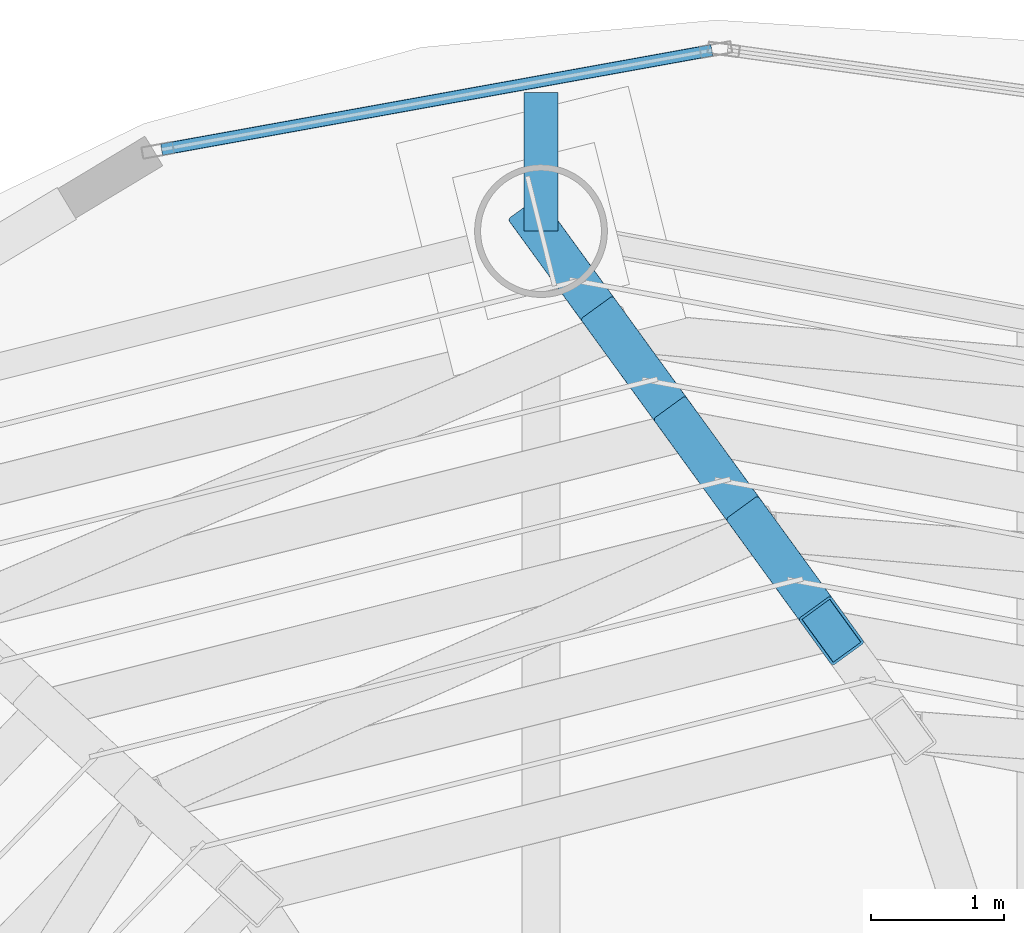
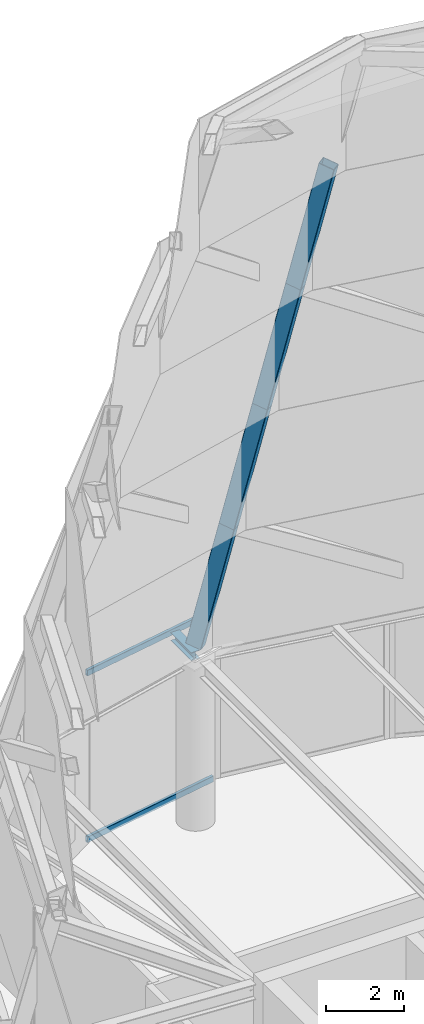
# One storey, part 29 of 40: 6 members, 1 beam, 1 element without a shape of its own.
"""IFC4 building model written with IfcOpenShell, lengths in metres."""

from ifc_helpers import new_model, si_unit, direction, frame, origin, origin_2d, place, context, subcontext, project, spatial, hollow_rectangle, i_section, extrude, material, layer, layer_set, material_profile, profile_set, type_object, element, aggregate, save


model = new_model("IFC4")

# Units and contexts
model_context = context("Model", 3, precision=1e-05, world=origin(), true_north=direction((0.0, 1.0)))
body_context = subcontext(model_context, "Body", "Model", "MODEL_VIEW")
ifc_project = project(units=[si_unit("LENGTHUNIT", "METRE"), si_unit("AREAUNIT", "SQUARE_METRE"), si_unit("VOLUMEUNIT", "CUBIC_METRE"), si_unit("PLANEANGLEUNIT", "RADIAN"), si_unit("MASSUNIT", "GRAM", prefix="KILO")], contexts=[model_context])

# Site, building, storey
site_placement = place(None, origin())
site = spatial("IfcSite", under=ifc_project, at=site_placement, CompositionType="ELEMENT")
building_placement = place(site_placement, origin())
building = spatial("IfcBuilding", under=site, at=building_placement, Name="Bramvorn Convention Spire", CompositionType="ELEMENT")
storey_placement = place(building_placement, frame((0.0, 0.0, 312.5)))
storey = spatial("IfcBuildingStorey", under=building, at=storey_placement, Name="L79", CompositionType="ELEMENT", Elevation=312.5)

# Beam
ifc_material_1 = material(Name="Steel CSA G40.21 Grade 350 (350W)", Category="steel")
ifc_material_profile_1 = material_profile(ifc_material_1, i_section(OverallWidth=0.25390625, OverallDepth=0.2529296875, WebThickness=0.008544921875, FlangeThickness=0.01416015625, FilletRadius=0.011962890625, at=origin_2d()))
ifc_profile_set_1 = profile_set([ifc_material_profile_1], Name="Steel CSA G40.21 Grade 350 (350W) - W250X73")
beam_type = type_object("IfcBeamType", Name="BM-W250X73", PredefinedType="BEAM", material=ifc_profile_set_1)
beam_placement = place(storey_placement, frame((32.8115234375, 46.90087890625, 5.12353515625), z_axis=(0.0, 1.0, 0.0), x_axis=(-1.0, 0.0, 0.0)))
element("IfcBeam", 1, at=beam_placement, inside=storey, type_object=beam_type, Name="L79 slab-edge cantilever tip beam MC08", PredefinedType="BEAM", context=body_context, shape_type="SweptSolid", body=[
    extrude(i_section(OverallWidth=0.25390625, OverallDepth=0.2529296875, WebThickness=0.008544921875, FlangeThickness=0.01416015625, FilletRadius=0.011962890625, at=origin_2d()), origin(), (0.0, 0.0, 1.0), 1.04345703125),
])

# Curtain wall, members
ifc_material_2 = material(Name="Anodised Bronze Unitised Curtain Wall", Category="aluminium")
ifc_layer = layer(ifc_material_2, 0.199951171875)
ifc_layer_set = layer_set([ifc_layer], Name="Anodised Bronze Unitised Curtain Wall - CW-CROWN-SPIRE")
curtain_wall_type = type_object("IfcCurtainWallType", Name="CW-CROWN-SPIRE", PredefinedType="USERDEFINED", material=ifc_layer_set)
curtain_wall_placement = place(storey_placement, origin())
curtain_wall = element("IfcCurtainWall", 2, at=curtain_wall_placement, inside=storey, type_object=curtain_wall_type, Name="L79 fritted glass curtain wall 12", ObjectType="UNITISED CURTAIN WALL", PredefinedType="USERDEFINED")
ifc_material_3 = material(Name="Anodised Bronze Aluminium 6063-T6", Category="aluminium")
ifc_material_profile_2 = material_profile(ifc_material_3, hollow_rectangle(XDim=0.090087890625, YDim=0.179931640625, WallThickness=0.00439453125, InnerFilletRadius=0.0009765625, OuterFilletRadius=0.00439453125, at=origin_2d()))
ifc_profile_set_2 = profile_set([ifc_material_profile_2], Name="Anodised Bronze Aluminium 6063-T6 - CWT90X180")
member_type_1 = type_object("IfcMemberType", Name="CW-TRN-180", PredefinedType="USERDEFINED", material=ifc_profile_set_2)
member_1_placement = place(storey_placement, frame((29.954833984375, 47.51416015625, 0.030029296875), z_axis=(0.984089973374, 0.177670831325, 0.0), x_axis=(-0.177670831325, 0.984089973374, 0.0)))
member_1 = element("IfcMember", 3, at=member_1_placement, type_object=member_type_1, Name="CW6 transom 1.1", ObjectType="TRANSOM", PredefinedType="USERDEFINED", context=body_context, shape_type="SweptSolid", body=[
    extrude(hollow_rectangle(XDim=0.090087890625, YDim=0.179931640625, WallThickness=0.00439453125, InnerFilletRadius=0.0009765625, OuterFilletRadius=0.00439453125, at=origin_2d()), origin(), (0.0, 0.0, 1.0), 4.210205078125),
])
member_2_placement = place(storey_placement, frame((29.954833984375, 47.51416015625, 5.219970703125), z_axis=(0.984089973374, 0.177670831325, 0.0), x_axis=(-0.177670831325, 0.984089973374, 0.0)))
member_2 = element("IfcMember", 4, at=member_2_placement, type_object=member_type_1, Name="CW6 transom 1.2", ObjectType="TRANSOM", PredefinedType="USERDEFINED", context=body_context, shape_type="SweptSolid", body=[
    extrude(hollow_rectangle(XDim=0.090087890625, YDim=0.179931640625, WallThickness=0.00439453125, InnerFilletRadius=0.0009765625, OuterFilletRadius=0.00439453125, at=origin_2d()), origin(), (0.0, 0.0, 1.0), 4.210205078125),
])
aggregate(curtain_wall, [member_1, member_2])

# Members
ifc_material_profile_3 = material_profile(ifc_material_1, hollow_rectangle(XDim=0.300048828125, YDim=0.449951171875, WallThickness=0.02001953125, InnerFilletRadius=0.00390625, OuterFilletRadius=0.02392578125, at=origin_2d()))
ifc_profile_set_3 = profile_set([ifc_material_profile_3], Name="Steel CSA G40.21 Grade 350 (350W) - CROWN450X300X20")
member_type_2 = type_object("IfcMemberType", Name="MBR-CROWN450X300X20", PredefinedType="USERDEFINED", material=ifc_profile_set_3)
for number, where, z_axis, x_axis, name in (
    (5, (32.8115234375, 46.90087890625, 5.5), (0.133165524247, -0.18322149363, 0.974010691637), (0.808917643277, 0.58792197305, 0.0), "Crown spire CROWN FRAME rib T1-08"),
    (6, (33.3583984375, 46.1484375, 9.5), (0.13310712887, -0.183222943804, 0.974018400806), (0.809042467605, 0.587750189801, 0.0), "Crown spire CROWN FRAME rib T2-08"),
    (7, (33.905029296875, 45.39599609375, 13.5), (0.133165524247, -0.18322149363, 0.974010691637), (0.808917643277, 0.58792197305, 0.0), "Crown spire CROWN FRAME rib T3-08"),
    (8, (34.451904296875, 44.6435546875, 17.5), (0.13310712887, -0.183222943804, 0.974018400806), (0.809042467605, 0.587750189801, 0.0), "Crown spire CROWN FRAME rib T4-08"),
):
    element("IfcMember", number, at=place(storey_placement, frame(where, z_axis=z_axis, x_axis=x_axis)), inside=storey, type_object=member_type_2, Name=name, ObjectType="CROWN FRAME", PredefinedType="USERDEFINED", context=body_context, shape_type="SweptSolid", body=[
        extrude(hollow_rectangle(XDim=0.300048828125, YDim=0.449951171875, WallThickness=0.02001953125, InnerFilletRadius=0.00390625, OuterFilletRadius=0.02392578125, at=origin_2d()), origin(), (0.0, 0.0, 1.0), 4.106689453125),
    ])

save(model, "model.ifc")
